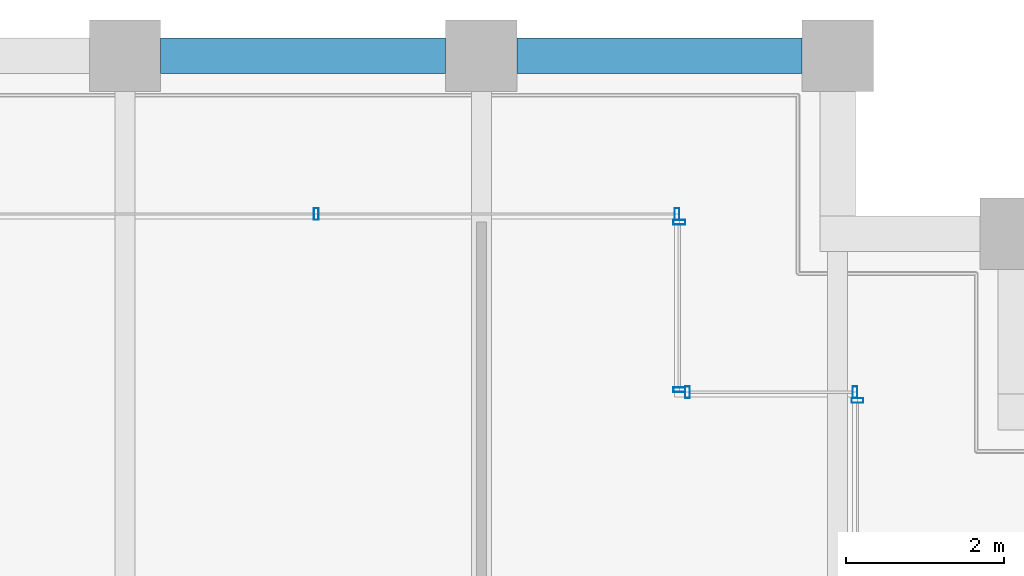
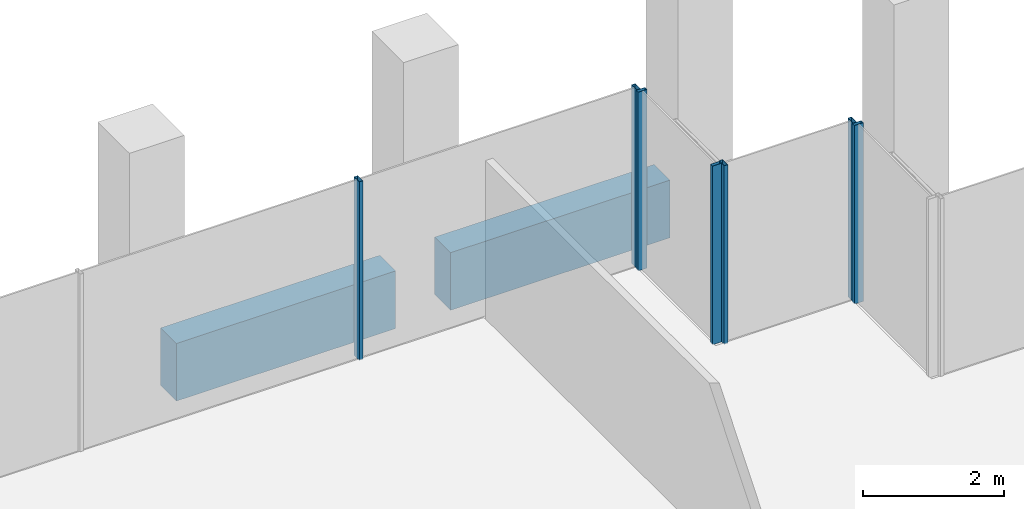
# One storey, part 26 of 40: 7 members, 2 beams, 4 elements without a shape of their own.
"""IFC4 building model written with IfcOpenShell, lengths in metres."""

from ifc_helpers import new_model, si_unit, direction, frame, origin, origin_2d, place, context, subcontext, project, spatial, rectangle, hollow_rectangle, extrude, material, material_profile, profile_set, type_object, element, aggregate, save


model = new_model("IFC4")

# Units and contexts
model_context = context("Model", 3, precision=1e-05, world=origin(), true_north=direction((0.0, 1.0)))
body_context = subcontext(model_context, "Body", "Model", "MODEL_VIEW")
ifc_project = project(units=[si_unit("LENGTHUNIT", "METRE"), si_unit("AREAUNIT", "SQUARE_METRE"), si_unit("VOLUMEUNIT", "CUBIC_METRE"), si_unit("PLANEANGLEUNIT", "RADIAN"), si_unit("MASSUNIT", "GRAM", prefix="KILO")], contexts=[model_context])

# Site, building, storey
site_placement = place(None, origin())
site = spatial("IfcSite", under=ifc_project, at=site_placement, CompositionType="ELEMENT")
building_placement = place(site_placement, origin())
building = spatial("IfcBuilding", under=site, at=building_placement, Name="Altepetl Exchange Towers", CompositionType="ELEMENT")
storey_placement = place(building_placement, frame((0.0, 0.0, 154.60009765625)))
storey = spatial("IfcBuildingStorey", under=building, at=storey_placement, Name="L38", CompositionType="ELEMENT", Elevation=154.60009765625)

# Curtain wall, member
ifc_material_1 = material(Name="Aluminium 6063-T6 glazing", Category="aluminium")
curtain_wall_type = type_object("IfcCurtainWallType", Name="Loggia glazing system", PredefinedType="NOTDEFINED", material=ifc_material_1)
curtain_wall_1_placement = place(storey_placement, origin())
curtain_wall_1 = element("IfcCurtainWall", 1, at=curtain_wall_1_placement, inside=storey, type_object=curtain_wall_type, Name="CW1 run", PredefinedType="NOTDEFINED")
ifc_material_2 = material(Name="Aluminium 6063-T6", Category="aluminium")
ifc_material_profile_1 = material_profile(ifc_material_2, hollow_rectangle(XDim=0.06005859375, YDim=0.14990234375, WallThickness=0.0029296875, at=origin_2d()), Name="Mullion 60x150 aluminium")
ifc_profile_set_1 = profile_set([ifc_material_profile_1], Name="Aluminium 6063-T6")
member_type = type_object("IfcMemberType", Name="Mullion 60x150 aluminium", PredefinedType="MULLION", material=ifc_profile_set_1)
member_1_placement = place(storey_placement, frame((67.75, 67.64501953125, 0.0), z_axis=(0.0, 0.0, 1.0), x_axis=(0.0, 1.0, 0.0)))
member_1 = element("IfcMember", 2, at=member_1_placement, type_object=member_type, Name="MU1 mullion", PredefinedType="MULLION", context=body_context, shape_type="SweptSolid", body=[
    extrude(hollow_rectangle(XDim=0.06005859375, YDim=0.14990234375, WallThickness=0.0029296875, at=origin_2d()), origin(), (0.0, 0.0, 1.0), 3.099853515625),
])
aggregate(curtain_wall_1, [member_1])

# Curtain wall, members
curtain_wall_2_placement = place(storey_placement, origin())
curtain_wall_2 = element("IfcCurtainWall", 3, at=curtain_wall_2_placement, inside=storey, type_object=curtain_wall_type, Name="CW1 run", PredefinedType="NOTDEFINED")
member_2_placement = place(storey_placement, frame((67.719970703125, 67.75, 0.0), z_axis=(0.0, 0.0, 1.0), x_axis=(-1.0, 0.0, 0.0)))
member_2 = element("IfcMember", 4, at=member_2_placement, type_object=member_type, Name="MU1 mullion", PredefinedType="MULLION", context=body_context, shape_type="SweptSolid", body=[
    extrude(hollow_rectangle(XDim=0.06005859375, YDim=0.14990234375, WallThickness=0.0029296875, at=origin_2d()), origin(), (0.0, 0.0, 1.0), 3.099853515625),
])
member_3_placement = place(storey_placement, frame((65.60498046875, 67.75, 0.0), z_axis=(0.0, 0.0, 1.0), x_axis=(-1.0, 0.0, 0.0)))
member_3 = element("IfcMember", 5, at=member_3_placement, type_object=member_type, Name="MU1 mullion", PredefinedType="MULLION", context=body_context, shape_type="SweptSolid", body=[
    extrude(hollow_rectangle(XDim=0.06005859375, YDim=0.14990234375, WallThickness=0.0029296875, at=origin_2d()), origin(), (0.0, 0.0, 1.0), 3.099853515625),
])
aggregate(curtain_wall_2, [member_2, member_3])

curtain_wall_3_placement = place(storey_placement, origin())
curtain_wall_3 = element("IfcCurtainWall", 6, at=curtain_wall_3_placement, inside=storey, type_object=curtain_wall_type, Name="CW1 run", PredefinedType="NOTDEFINED")
member_4_placement = place(storey_placement, frame((65.5, 67.780029296875, 0.0), z_axis=(0.0, 0.0, 1.0), x_axis=(0.0, 1.0, 0.0)))
member_4 = element("IfcMember", 7, at=member_4_placement, type_object=member_type, Name="MU1 mullion", PredefinedType="MULLION", context=body_context, shape_type="SweptSolid", body=[
    extrude(hollow_rectangle(XDim=0.06005859375, YDim=0.14990234375, WallThickness=0.0029296875, at=origin_2d()), origin(), (0.0, 0.0, 1.0), 3.099853515625),
])
member_5_placement = place(storey_placement, frame((65.5, 69.89501953125, 0.0), z_axis=(0.0, 0.0, 1.0), x_axis=(0.0, 1.0, 0.0)))
member_5 = element("IfcMember", 8, at=member_5_placement, type_object=member_type, Name="MU1 mullion", PredefinedType="MULLION", context=body_context, shape_type="SweptSolid", body=[
    extrude(hollow_rectangle(XDim=0.06005859375, YDim=0.14990234375, WallThickness=0.0029296875, at=origin_2d()), origin(), (0.0, 0.0, 1.0), 3.099853515625),
])
aggregate(curtain_wall_3, [member_4, member_5])

curtain_wall_4_placement = place(storey_placement, origin())
curtain_wall_4 = element("IfcCurtainWall", 9, at=curtain_wall_4_placement, inside=storey, type_object=curtain_wall_type, Name="CW1 run", PredefinedType="NOTDEFINED")
member_6_placement = place(storey_placement, frame((65.469970703125, 70.0, 0.0), z_axis=(0.0, 0.0, 1.0), x_axis=(-1.0, 0.0, 0.0)))
member_6 = element("IfcMember", 10, at=member_6_placement, type_object=member_type, Name="MU1 mullion", PredefinedType="MULLION", context=body_context, shape_type="SweptSolid", body=[
    extrude(hollow_rectangle(XDim=0.06005859375, YDim=0.14990234375, WallThickness=0.0029296875, at=origin_2d()), origin(), (0.0, 0.0, 1.0), 3.099853515625),
])
member_7_placement = place(storey_placement, frame((60.9150390625, 70.0, 0.0), z_axis=(0.0, 0.0, 1.0), x_axis=(-1.0, 0.0, 0.0)))
member_7 = element("IfcMember", 11, at=member_7_placement, type_object=member_type, Name="MU1 mullion", PredefinedType="MULLION", context=body_context, shape_type="SweptSolid", body=[
    extrude(hollow_rectangle(XDim=0.06005859375, YDim=0.14990234375, WallThickness=0.0029296875, at=origin_2d()), origin(), (0.0, 0.0, 1.0), 3.099853515625),
])
aggregate(curtain_wall_4, [member_6, member_7])

# Beams
ifc_material_3 = material(Name="Concrete C50/60 precast with cantera rosa facing", Category="concrete")
ifc_material_profile_2 = material_profile(ifc_material_3, rectangle(XDim=0.449951171875, YDim=1.0, at=origin_2d()), Name="450 x 1000")
ifc_profile_set_2 = profile_set([ifc_material_profile_2], Name="Concrete C50/60 precast with cantera rosa facing")
beam_type = type_object("IfcBeamType", Name="Spandrel beam 450x1000 cantera rosa", PredefinedType="SPANDREL", material=ifc_profile_set_2)
for number, where, z_axis, x_axis, name in (
    (12, (67.050048828125, 72.0, -0.650146484375), (-1.0, 0.0, 0.0), (0.0, -1.0, 0.0), "sp:A:L38:024"),
    (13, (62.550048828125, 72.0, -0.650146484375), (-1.0, 0.0, 0.0), (0.0, -1.0, 0.0), "sp:A:L38:025"),
):
    element("IfcBeam", number, at=place(storey_placement, frame(where, z_axis=z_axis, x_axis=x_axis)), inside=storey, type_object=beam_type, Name=name, PredefinedType="SPANDREL", context=body_context, shape_type="SweptSolid", body=[
        extrude(rectangle(XDim=0.449951171875, YDim=1.0, at=origin_2d()), origin(), (0.0, 0.0, 1.0), 3.60009765625),
    ])

save(model, "model.ifc")
